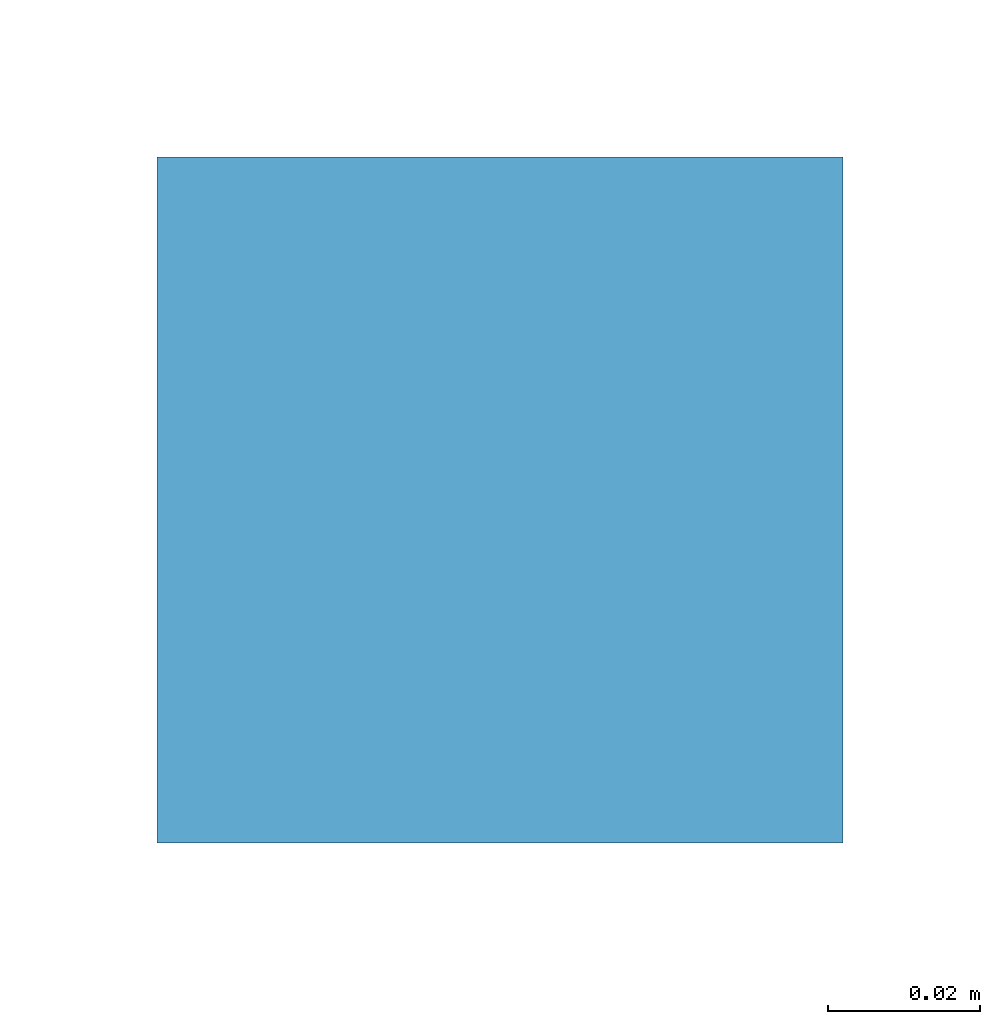
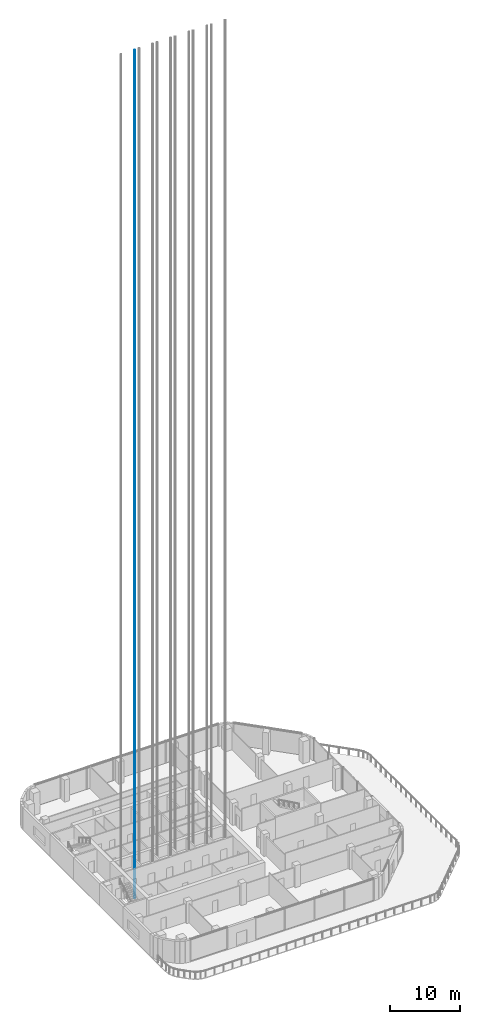
# One storey, part 6 of 29: 1 member.
"""IFC4 building model written with IfcOpenShell, lengths in metres."""

from ifc_helpers import new_model, si_unit, direction, frame, origin, origin_2d, place, context, subcontext, project, spatial, rectangle, extrude, material, material_profile, profile_set, type_object, element, save


model = new_model("IFC4")

# Units and contexts
model_context = context("Model", 3, precision=1e-05, world=origin(), true_north=direction((0.0, 1.0)))
body_context = subcontext(model_context, "Body", "Model", "MODEL_VIEW")
ifc_project = project(units=[si_unit("LENGTHUNIT", "METRE"), si_unit("AREAUNIT", "SQUARE_METRE"), si_unit("VOLUMEUNIT", "CUBIC_METRE"), si_unit("PLANEANGLEUNIT", "RADIAN"), si_unit("MASSUNIT", "GRAM", prefix="KILO")], contexts=[model_context])

# Site, building, storey
site_placement = place(None, origin())
site = spatial("IfcSite", under=ifc_project, at=site_placement, CompositionType="ELEMENT")
building_placement = place(site_placement, origin())
building = spatial("IfcBuilding", under=site, at=building_placement, Name="Cinnabar Reach Civic Tower", CompositionType="ELEMENT")
storey_placement = place(building_placement, frame((0.0, 0.0, 149.0)))
storey = spatial("IfcBuildingStorey", under=building, at=storey_placement, Name="L35", CompositionType="ELEMENT", Elevation=149.0)

# Member
ifc_material = material(Name="Steel Q355B", Category="steel")
ifc_material_profile = material_profile(ifc_material, rectangle(XDim=0.09, YDim=0.09, at=origin_2d()), Name="T1 lift guide rail")
ifc_profile_set = profile_set([ifc_material_profile], Name="Steel Q355B")
member_type = type_object("IfcMemberType", Name="T1 lift guide rail", PredefinedType="USERDEFINED", material=ifc_profile_set)
member_placement = place(storey_placement, frame((7.13, 30.0, -2.5), z_axis=(0.0, 0.0, 1.0), x_axis=(1.0, 0.0, 0.0)))
element("IfcMember", 1, at=member_placement, inside=storey, type_object=member_type, Name="T1-HR1 guide rail 2", ObjectType="GUIDE RAIL", PredefinedType="USERDEFINED", context=body_context, shape_type="SweptSolid", body=[
    extrude(rectangle(XDim=0.09, YDim=0.09, at=origin_2d()), origin(), (0.0, 0.0, 1.0), 148.5),
])

save(model, "model.ifc")
